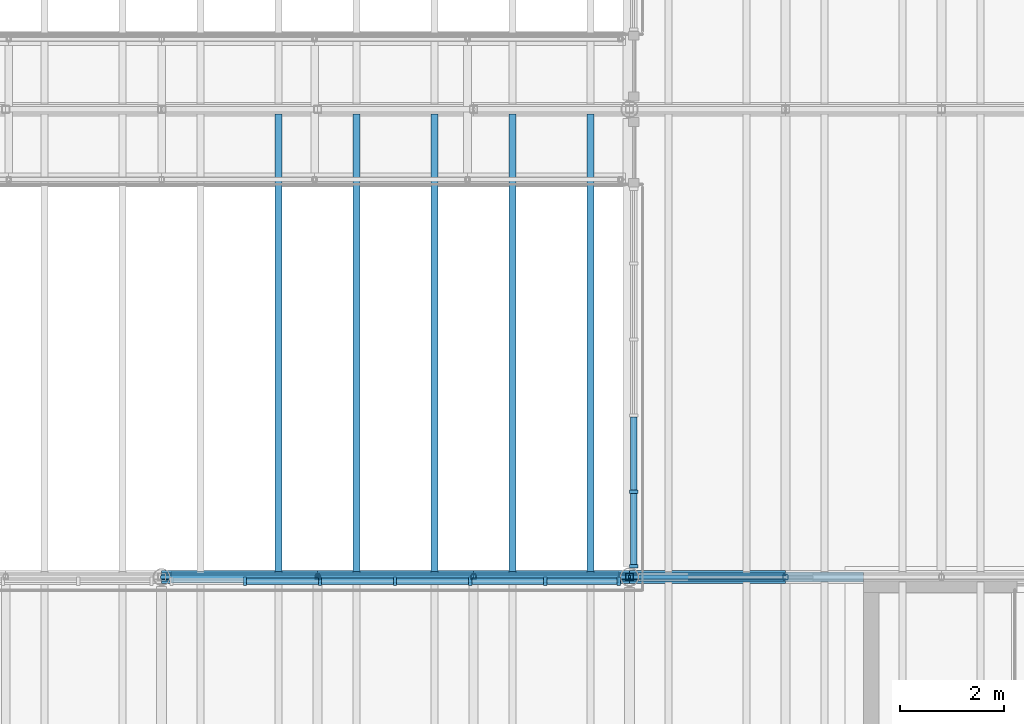
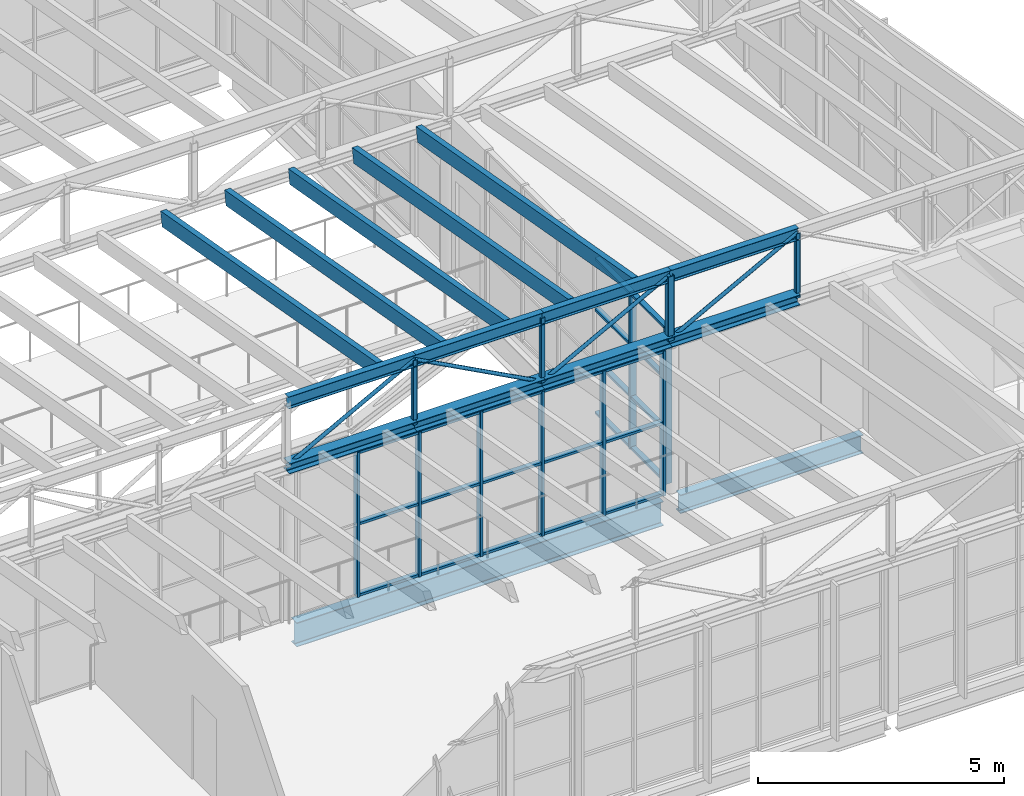
# One storey, part 19 of 44: 52 members, 2 beams, 2 elements without a shape of their own.
"""IFC4 building model written with IfcOpenShell, lengths in metres."""

from ifc_helpers import new_model, si_unit, direction, frame, origin, origin_2d, place, context, subcontext, project, spatial, rectangle, hollow_rectangle, hollow_circle, i_section, extrude, material, layer, layer_set, material_profile, profile_set, type_object, element, aggregate, save


model = new_model("IFC4")

# Units and contexts
model_context = context("Model", 3, precision=1e-05, world=origin(), true_north=direction((0.0, 1.0)))
body_context = subcontext(model_context, "Body", "Model", "MODEL_VIEW")
ifc_project = project(units=[si_unit("LENGTHUNIT", "METRE"), si_unit("AREAUNIT", "SQUARE_METRE"), si_unit("VOLUMEUNIT", "CUBIC_METRE"), si_unit("PLANEANGLEUNIT", "RADIAN"), si_unit("MASSUNIT", "GRAM", prefix="KILO")], contexts=[model_context])

# Site, building, storey
site_placement = place(None, origin())
site = spatial("IfcSite", under=ifc_project, at=site_placement, CompositionType="ELEMENT")
building_placement = place(site_placement, origin())
building = spatial("IfcBuilding", under=site, at=building_placement, Name="Halyard Row Museum", CompositionType="ELEMENT")
storey_placement = place(building_placement, frame((0.0, 0.0, 21.199951171875)))
storey = spatial("IfcBuildingStorey", under=building, at=storey_placement, Name="L04", CompositionType="ELEMENT", Elevation=21.199951171875)

# Curtain wall, members
ifc_material_1 = material(Name="Fire-resisting laminated glazing", Category="glass")
ifc_layer = layer(ifc_material_1, 0.159912109375)
ifc_layer_set = layer_set([ifc_layer], Name="Fire-resisting laminated glazing")
curtain_wall_type = type_object("IfcCurtainWallType", Name="Curtain wall atrium screen 160 deep", PredefinedType="NOTDEFINED", material=ifc_layer_set)
curtain_wall_1_placement = place(storey_placement, origin())
curtain_wall_1 = element("IfcCurtainWall", 1, at=curtain_wall_1_placement, inside=storey, type_object=curtain_wall_type, Name="Curtain wall CW103", PredefinedType="NOTDEFINED")
ifc_material_2 = material(Name="Powder-coated aluminium section", Category="aluminium")
ifc_material_profile_1 = material_profile(ifc_material_2, rectangle(XDim=0.159912109375, YDim=0.06005859375, at=origin_2d()), Name="160x60 mullion")
ifc_profile_set_1 = profile_set([ifc_material_profile_1], Name="Powder-coated aluminium section")
member_type_1 = type_object("IfcMemberType", Name="Curtain wall mullion CM5 60 x 160", PredefinedType="MULLION", material=ifc_profile_set_1)
member_1_placement = place(storey_placement, frame((91.605224609375, 8.919921875, 0.0), z_axis=(0.0, 0.0, 1.0), x_axis=(0.0, 1.0, 0.0)))
member_1 = element("IfcMember", 2, at=member_1_placement, type_object=member_type_1, Name="CW103 mullion 2", PredefinedType="MULLION", context=body_context, shape_type="SweptSolid", body=[
    extrude(rectangle(XDim=0.159912109375, YDim=0.06005859375, at=origin_2d()), origin(), (0.0, 0.0, 1.0), 3.60009765625),
])
member_2_placement = place(storey_placement, frame((93.048583984375, 8.919921875, 0.0), z_axis=(0.0, 0.0, 1.0), x_axis=(0.0, 1.0, 0.0)))
member_2 = element("IfcMember", 3, at=member_2_placement, type_object=member_type_1, Name="CW103 mullion 3", PredefinedType="MULLION", context=body_context, shape_type="SweptSolid", body=[
    extrude(rectangle(XDim=0.159912109375, YDim=0.06005859375, at=origin_2d()), origin(), (0.0, 0.0, 1.0), 3.60009765625),
])
member_3_placement = place(storey_placement, frame((94.4921875, 8.919921875, 0.0), z_axis=(0.0, 0.0, 1.0), x_axis=(0.0, 1.0, 0.0)))
member_3 = element("IfcMember", 4, at=member_3_placement, type_object=member_type_1, Name="CW103 mullion 4", PredefinedType="MULLION", context=body_context, shape_type="SweptSolid", body=[
    extrude(rectangle(XDim=0.159912109375, YDim=0.06005859375, at=origin_2d()), origin(), (0.0, 0.0, 1.0), 3.60009765625),
])
member_4_placement = place(storey_placement, frame((95.935546875, 8.919921875, 0.0), z_axis=(0.0, 0.0, 1.0), x_axis=(0.0, 1.0, 0.0)))
member_4 = element("IfcMember", 5, at=member_4_placement, type_object=member_type_1, Name="CW103 mullion 5", PredefinedType="MULLION", context=body_context, shape_type="SweptSolid", body=[
    extrude(rectangle(XDim=0.159912109375, YDim=0.06005859375, at=origin_2d()), origin(), (0.0, 0.0, 1.0), 3.60009765625),
])
member_5_placement = place(storey_placement, frame((97.37890625, 8.919921875, 0.0), z_axis=(0.0, 0.0, 1.0), x_axis=(0.0, 1.0, 0.0)))
member_5 = element("IfcMember", 6, at=member_5_placement, type_object=member_type_1, Name="CW103 mullion 6", PredefinedType="MULLION", context=body_context, shape_type="SweptSolid", body=[
    extrude(rectangle(XDim=0.159912109375, YDim=0.06005859375, at=origin_2d()), origin(), (0.0, 0.0, 1.0), 3.60009765625),
])
member_6_placement = place(storey_placement, frame((98.792236328125, 8.919921875, 0.0), z_axis=(0.0, 0.0, 1.0), x_axis=(0.0, 1.0, 0.0)))
member_6 = element("IfcMember", 7, at=member_6_placement, type_object=member_type_1, Name="CW103 mullion 7", PredefinedType="MULLION", context=body_context, shape_type="SweptSolid", body=[
    extrude(rectangle(XDim=0.159912109375, YDim=0.06005859375, at=origin_2d()), origin(), (0.0, 0.0, 1.0), 3.60009765625),
])

curtain_wall_2_placement = place(storey_placement, origin())
curtain_wall_2 = element("IfcCurtainWall", 8, at=curtain_wall_2_placement, inside=storey, type_object=curtain_wall_type, Name="Curtain wall CW104", PredefinedType="NOTDEFINED")
member_7_placement = place(storey_placement, frame((99.080078125, 9.207763671875, 0.0), z_axis=(0.0, 0.0, 1.0), x_axis=(-1.0, 0.0, 0.0)))
member_7 = element("IfcMember", 9, at=member_7_placement, type_object=member_type_1, Name="CW104 mullion 1", PredefinedType="MULLION", context=body_context, shape_type="SweptSolid", body=[
    extrude(rectangle(XDim=0.159912109375, YDim=0.06005859375, at=origin_2d()), origin(), (0.0, 0.0, 1.0), 3.878173828125),
])
member_8_placement = place(storey_placement, frame((99.080078125, 10.642333984375, 0.0), z_axis=(0.0, 0.0, 1.0), x_axis=(-1.0, 0.0, 0.0)))
member_8 = element("IfcMember", 10, at=member_8_placement, type_object=member_type_1, Name="CW104 mullion 2", PredefinedType="MULLION", context=body_context, shape_type="SweptSolid", body=[
    extrude(rectangle(XDim=0.159912109375, YDim=0.06005859375, at=origin_2d()), origin(), (0.0, 0.0, 1.0), 3.878173828125),
])

# Member
ifc_material_3 = material(Name="Powder-coated aluminium section", Category="aluminium")
ifc_material_profile_2 = material_profile(ifc_material_3, rectangle(XDim=0.1201171875, YDim=0.06005859375, at=origin_2d()), Name="120x60 transom")
ifc_profile_set_2 = profile_set([ifc_material_profile_2], Name="Powder-coated aluminium section")
member_type_2 = type_object("IfcMemberType", Name="Curtain wall transom CT5 60 x 120", PredefinedType="USERDEFINED", material=ifc_profile_set_2)
member_9_placement = place(storey_placement, frame((91.63525390625, 8.919921875, 0.030029296875), z_axis=(1.0, 0.0, 0.0), x_axis=(0.0, 1.0, 0.0)))
member_9 = element("IfcMember", 11, at=member_9_placement, type_object=member_type_2, Name="CW103 transom 2.1", ObjectType="TRANSOM", PredefinedType="USERDEFINED", context=body_context, shape_type="SweptSolid", body=[
    extrude(rectangle(XDim=0.1201171875, YDim=0.06005859375, at=origin_2d()), origin(), (0.0, 0.0, 1.0), 1.383544921875),
])

member_10_placement = place(storey_placement, frame((91.63525390625, 8.919921875, 1.800048828125), z_axis=(1.0, 0.0, 0.0), x_axis=(0.0, 1.0, 0.0)))
member_10 = element("IfcMember", 12, at=member_10_placement, type_object=member_type_2, Name="CW103 transom 2.2", ObjectType="TRANSOM", PredefinedType="USERDEFINED", context=body_context, shape_type="SweptSolid", body=[
    extrude(rectangle(XDim=0.1201171875, YDim=0.06005859375, at=origin_2d()), origin(), (0.0, 0.0, 1.0), 1.383544921875),
])

member_11_placement = place(storey_placement, frame((91.63525390625, 8.919921875, 3.570068359375), z_axis=(1.0, 0.0, 0.0), x_axis=(0.0, 1.0, 0.0)))
member_11 = element("IfcMember", 13, at=member_11_placement, type_object=member_type_2, Name="CW103 transom 2.3", ObjectType="TRANSOM", PredefinedType="USERDEFINED", context=body_context, shape_type="SweptSolid", body=[
    extrude(rectangle(XDim=0.1201171875, YDim=0.06005859375, at=origin_2d()), origin(), (0.0, 0.0, 1.0), 1.383544921875),
])

member_12_placement = place(storey_placement, frame((93.07861328125, 8.919921875, 0.030029296875), z_axis=(1.0, 0.0, 0.0), x_axis=(0.0, 1.0, 0.0)))
member_12 = element("IfcMember", 14, at=member_12_placement, type_object=member_type_2, Name="CW103 transom 3.1", ObjectType="TRANSOM", PredefinedType="USERDEFINED", context=body_context, shape_type="SweptSolid", body=[
    extrude(rectangle(XDim=0.1201171875, YDim=0.06005859375, at=origin_2d()), origin(), (0.0, 0.0, 1.0), 1.383544921875),
])

member_13_placement = place(storey_placement, frame((93.07861328125, 8.919921875, 1.800048828125), z_axis=(1.0, 0.0, 0.0), x_axis=(0.0, 1.0, 0.0)))
member_13 = element("IfcMember", 15, at=member_13_placement, type_object=member_type_2, Name="CW103 transom 3.2", ObjectType="TRANSOM", PredefinedType="USERDEFINED", context=body_context, shape_type="SweptSolid", body=[
    extrude(rectangle(XDim=0.1201171875, YDim=0.06005859375, at=origin_2d()), origin(), (0.0, 0.0, 1.0), 1.383544921875),
])

member_14_placement = place(storey_placement, frame((93.07861328125, 8.919921875, 3.570068359375), z_axis=(1.0, 0.0, 0.0), x_axis=(0.0, 1.0, 0.0)))
member_14 = element("IfcMember", 16, at=member_14_placement, type_object=member_type_2, Name="CW103 transom 3.3", ObjectType="TRANSOM", PredefinedType="USERDEFINED", context=body_context, shape_type="SweptSolid", body=[
    extrude(rectangle(XDim=0.1201171875, YDim=0.06005859375, at=origin_2d()), origin(), (0.0, 0.0, 1.0), 1.383544921875),
])

member_15_placement = place(storey_placement, frame((94.52197265625, 8.919921875, 0.030029296875), z_axis=(1.0, 0.0, 0.0), x_axis=(0.0, 1.0, 0.0)))
member_15 = element("IfcMember", 17, at=member_15_placement, type_object=member_type_2, Name="CW103 transom 4.1", ObjectType="TRANSOM", PredefinedType="USERDEFINED", context=body_context, shape_type="SweptSolid", body=[
    extrude(rectangle(XDim=0.1201171875, YDim=0.06005859375, at=origin_2d()), origin(), (0.0, 0.0, 1.0), 1.383544921875),
])

member_16_placement = place(storey_placement, frame((94.52197265625, 8.919921875, 1.800048828125), z_axis=(1.0, 0.0, 0.0), x_axis=(0.0, 1.0, 0.0)))
member_16 = element("IfcMember", 18, at=member_16_placement, type_object=member_type_2, Name="CW103 transom 4.2", ObjectType="TRANSOM", PredefinedType="USERDEFINED", context=body_context, shape_type="SweptSolid", body=[
    extrude(rectangle(XDim=0.1201171875, YDim=0.06005859375, at=origin_2d()), origin(), (0.0, 0.0, 1.0), 1.383544921875),
])

member_17_placement = place(storey_placement, frame((94.52197265625, 8.919921875, 3.570068359375), z_axis=(1.0, 0.0, 0.0), x_axis=(0.0, 1.0, 0.0)))
member_17 = element("IfcMember", 19, at=member_17_placement, type_object=member_type_2, Name="CW103 transom 4.3", ObjectType="TRANSOM", PredefinedType="USERDEFINED", context=body_context, shape_type="SweptSolid", body=[
    extrude(rectangle(XDim=0.1201171875, YDim=0.06005859375, at=origin_2d()), origin(), (0.0, 0.0, 1.0), 1.383544921875),
])

member_18_placement = place(storey_placement, frame((95.96533203125, 8.919921875, 0.030029296875), z_axis=(1.0, 0.0, 0.0), x_axis=(0.0, 1.0, 0.0)))
member_18 = element("IfcMember", 20, at=member_18_placement, type_object=member_type_2, Name="CW103 transom 5.1", ObjectType="TRANSOM", PredefinedType="USERDEFINED", context=body_context, shape_type="SweptSolid", body=[
    extrude(rectangle(XDim=0.1201171875, YDim=0.06005859375, at=origin_2d()), origin(), (0.0, 0.0, 1.0), 1.383544921875),
])

member_19_placement = place(storey_placement, frame((95.96533203125, 8.919921875, 1.800048828125), z_axis=(1.0, 0.0, 0.0), x_axis=(0.0, 1.0, 0.0)))
member_19 = element("IfcMember", 21, at=member_19_placement, type_object=member_type_2, Name="CW103 transom 5.2", ObjectType="TRANSOM", PredefinedType="USERDEFINED", context=body_context, shape_type="SweptSolid", body=[
    extrude(rectangle(XDim=0.1201171875, YDim=0.06005859375, at=origin_2d()), origin(), (0.0, 0.0, 1.0), 1.383544921875),
])

member_20_placement = place(storey_placement, frame((95.96533203125, 8.919921875, 3.570068359375), z_axis=(1.0, 0.0, 0.0), x_axis=(0.0, 1.0, 0.0)))
member_20 = element("IfcMember", 22, at=member_20_placement, type_object=member_type_2, Name="CW103 transom 5.3", ObjectType="TRANSOM", PredefinedType="USERDEFINED", context=body_context, shape_type="SweptSolid", body=[
    extrude(rectangle(XDim=0.1201171875, YDim=0.06005859375, at=origin_2d()), origin(), (0.0, 0.0, 1.0), 1.383544921875),
])

member_21_placement = place(storey_placement, frame((97.408935546875, 8.919921875, 0.030029296875), z_axis=(1.0, 0.0, 0.0), x_axis=(0.0, 1.0, 0.0)))
member_21 = element("IfcMember", 23, at=member_21_placement, type_object=member_type_2, Name="CW103 transom 6.1", ObjectType="TRANSOM", PredefinedType="USERDEFINED", context=body_context, shape_type="SweptSolid", body=[
    extrude(rectangle(XDim=0.1201171875, YDim=0.06005859375, at=origin_2d()), origin(), (0.0, 0.0, 1.0), 1.353271484375),
])

member_22_placement = place(storey_placement, frame((97.408935546875, 8.919921875, 1.800048828125), z_axis=(1.0, 0.0, 0.0), x_axis=(0.0, 1.0, 0.0)))
member_22 = element("IfcMember", 24, at=member_22_placement, type_object=member_type_2, Name="CW103 transom 6.2", ObjectType="TRANSOM", PredefinedType="USERDEFINED", context=body_context, shape_type="SweptSolid", body=[
    extrude(rectangle(XDim=0.1201171875, YDim=0.06005859375, at=origin_2d()), origin(), (0.0, 0.0, 1.0), 1.353271484375),
])

member_23_placement = place(storey_placement, frame((97.408935546875, 8.919921875, 3.570068359375), z_axis=(1.0, 0.0, 0.0), x_axis=(0.0, 1.0, 0.0)))
member_23 = element("IfcMember", 25, at=member_23_placement, type_object=member_type_2, Name="CW103 transom 6.3", ObjectType="TRANSOM", PredefinedType="USERDEFINED", context=body_context, shape_type="SweptSolid", body=[
    extrude(rectangle(XDim=0.1201171875, YDim=0.06005859375, at=origin_2d()), origin(), (0.0, 0.0, 1.0), 1.353271484375),
])

aggregate(curtain_wall_1, [member_1, member_2, member_3, member_4, member_5, member_6, member_9, member_10, member_11, member_12, member_13, member_14, member_15, member_16, member_17, member_18, member_19, member_20, member_21, member_22, member_23])

member_24_placement = place(storey_placement, frame((99.080078125, 9.23779296875, 0.030029296875), z_axis=(0.0, 1.0, 0.0), x_axis=(-1.0, 0.0, 0.0)))
member_24 = element("IfcMember", 26, at=member_24_placement, type_object=member_type_2, Name="CW104 transom 1.1", ObjectType="TRANSOM", PredefinedType="USERDEFINED", context=body_context, shape_type="SweptSolid", body=[
    extrude(rectangle(XDim=0.1201171875, YDim=0.06005859375, at=origin_2d()), origin(), (0.0, 0.0, 1.0), 1.37451171875),
])

member_25_placement = place(storey_placement, frame((99.080078125, 9.23779296875, 1.292724609375), z_axis=(0.0, 1.0, 0.0), x_axis=(-1.0, 0.0, 0.0)))
member_25 = element("IfcMember", 27, at=member_25_placement, type_object=member_type_2, Name="CW104 transom 1.2", ObjectType="TRANSOM", PredefinedType="USERDEFINED", context=body_context, shape_type="SweptSolid", body=[
    extrude(rectangle(XDim=0.1201171875, YDim=0.06005859375, at=origin_2d()), origin(), (0.0, 0.0, 1.0), 1.37451171875),
])

member_26_placement = place(storey_placement, frame((99.080078125, 9.23779296875, 2.58544921875), z_axis=(0.0, 1.0, 0.0), x_axis=(-1.0, 0.0, 0.0)))
member_26 = element("IfcMember", 28, at=member_26_placement, type_object=member_type_2, Name="CW104 transom 1.3", ObjectType="TRANSOM", PredefinedType="USERDEFINED", context=body_context, shape_type="SweptSolid", body=[
    extrude(rectangle(XDim=0.1201171875, YDim=0.06005859375, at=origin_2d()), origin(), (0.0, 0.0, 1.0), 1.37451171875),
])

member_27_placement = place(storey_placement, frame((99.080078125, 9.23779296875, 3.84814453125), z_axis=(0.0, 1.0, 0.0), x_axis=(-1.0, 0.0, 0.0)))
member_27 = element("IfcMember", 29, at=member_27_placement, type_object=member_type_2, Name="CW104 transom 1.4", ObjectType="TRANSOM", PredefinedType="USERDEFINED", context=body_context, shape_type="SweptSolid", body=[
    extrude(rectangle(XDim=0.1201171875, YDim=0.06005859375, at=origin_2d()), origin(), (0.0, 0.0, 1.0), 1.37451171875),
])

member_28_placement = place(storey_placement, frame((99.080078125, 10.672119140625, 0.030029296875), z_axis=(0.0, 1.0, 0.0), x_axis=(-1.0, 0.0, 0.0)))
member_28 = element("IfcMember", 30, at=member_28_placement, type_object=member_type_2, Name="CW104 transom 2.1", ObjectType="TRANSOM", PredefinedType="USERDEFINED", context=body_context, shape_type="SweptSolid", body=[
    extrude(rectangle(XDim=0.1201171875, YDim=0.06005859375, at=origin_2d()), origin(), (0.0, 0.0, 1.0), 1.404541015625),
])

member_29_placement = place(storey_placement, frame((99.080078125, 10.672119140625, 1.292724609375), z_axis=(0.0, 1.0, 0.0), x_axis=(-1.0, 0.0, 0.0)))
member_29 = element("IfcMember", 31, at=member_29_placement, type_object=member_type_2, Name="CW104 transom 2.2", ObjectType="TRANSOM", PredefinedType="USERDEFINED", context=body_context, shape_type="SweptSolid", body=[
    extrude(rectangle(XDim=0.1201171875, YDim=0.06005859375, at=origin_2d()), origin(), (0.0, 0.0, 1.0), 1.404541015625),
])

member_30_placement = place(storey_placement, frame((99.080078125, 10.672119140625, 2.58544921875), z_axis=(0.0, 1.0, 0.0), x_axis=(-1.0, 0.0, 0.0)))
member_30 = element("IfcMember", 32, at=member_30_placement, type_object=member_type_2, Name="CW104 transom 2.3", ObjectType="TRANSOM", PredefinedType="USERDEFINED", context=body_context, shape_type="SweptSolid", body=[
    extrude(rectangle(XDim=0.1201171875, YDim=0.06005859375, at=origin_2d()), origin(), (0.0, 0.0, 1.0), 1.404541015625),
])

member_31_placement = place(storey_placement, frame((99.080078125, 10.672119140625, 3.84814453125), z_axis=(0.0, 1.0, 0.0), x_axis=(-1.0, 0.0, 0.0)))
member_31 = element("IfcMember", 33, at=member_31_placement, type_object=member_type_2, Name="CW104 transom 2.4", ObjectType="TRANSOM", PredefinedType="USERDEFINED", context=body_context, shape_type="SweptSolid", body=[
    extrude(rectangle(XDim=0.1201171875, YDim=0.06005859375, at=origin_2d()), origin(), (0.0, 0.0, 1.0), 1.404541015625),
])

aggregate(curtain_wall_2, [member_7, member_8, member_24, member_25, member_26, member_27, member_28, member_29, member_30, member_31])

# Beam
ifc_material_4 = material(Name="Steel Grade 300", Category="steel")
ifc_material_profile_3 = material_profile(ifc_material_4, i_section(OverallWidth=0.19091796875, OverallDepth=0.46044921875, WebThickness=0.010009765625, FlangeThickness=0.01611328125, FilletRadius=0.011474609375, at=origin_2d()), Name="460UB82.1")
ifc_profile_set_3 = profile_set([ifc_material_profile_3], Name="Steel Grade 300")
beam_type_1 = type_object("IfcBeamType", Name="Girder beam 460UB82.1", PredefinedType="BEAM", material=ifc_profile_set_3)
beam_1_placement = place(storey_placement, frame((99.203125, 9.0, -0.395263671875), z_axis=(1.0, 0.0, 0.0), x_axis=(0.0, 1.0, 0.0)))
element("IfcBeam", 34, at=beam_1_placement, inside=storey, type_object=beam_type_1, Name="Beam L04-008", PredefinedType="BEAM", context=body_context, shape_type="SweptSolid", body=[
    extrude(i_section(OverallWidth=0.19091796875, OverallDepth=0.46044921875, WebThickness=0.010009765625, FlangeThickness=0.01611328125, FilletRadius=0.011474609375, at=origin_2d()), origin(), (0.0, 0.0, 1.0), 4.296875),
])

# Members
ifc_material_5 = material(Name="Glulam GL12 radiata pine", Category="wood")
ifc_material_profile_4 = material_profile(ifc_material_5, rectangle(XDim=0.135009765625, YDim=0.360107421875, at=origin_2d()), Name="GL12 135x360")
ifc_profile_set_4 = profile_set([ifc_material_profile_4], Name="Glulam GL12 radiata pine")
member_type_3 = type_object("IfcMemberType", Name="Rafter GL12 135x360", PredefinedType="RAFTER", material=ifc_profile_set_4)
for number, where, z_axis, x_axis, name in (
    (35, (92.25, 9.074462890625, 5.283935546875), (0.0, 0.984563554103, -0.17502744908), (-1.0, 0.0, 0.0), "Rafter V2-T2b.8"),
    (36, (93.75, 9.074462890625, 5.283935546875), (0.0, 0.984563554103, -0.17502744908), (-1.0, 0.0, 0.0), "Rafter V2-T2b.9"),
    (37, (95.25, 9.074462890625, 5.283935546875), (0.0, 0.984563554103, -0.17502744908), (-1.0, 0.0, 0.0), "Rafter V2-T2b.10"),
    (38, (96.75, 9.074462890625, 5.283935546875), (0.0, 0.984563554103, -0.17502744908), (-1.0, 0.0, 0.0), "Rafter V2-T2b.11"),
    (39, (98.25, 9.074462890625, 5.283935546875), (0.0, 0.984563554103, -0.17502744908), (-1.0, 0.0, 0.0), "Rafter V2-T2b.12"),
):
    element("IfcMember", number, at=place(storey_placement, frame(where, z_axis=z_axis, x_axis=x_axis)), inside=storey, type_object=member_type_3, Name=name, PredefinedType="RAFTER", context=body_context, shape_type="SweptSolid", body=[
        extrude(rectangle(XDim=0.135009765625, YDim=0.360107421875, at=origin_2d()), origin(), (0.0, 0.0, 1.0), 8.935546875),
    ])
ifc_material_6 = material(Name="Steel Grade 300", Category="steel")
ifc_material_profile_5 = material_profile(ifc_material_6, i_section(OverallWidth=0.25390625, OverallDepth=0.25390625, WebThickness=0.008544921875, FlangeThickness=0.01416015625, FilletRadius=0.013916015625, at=origin_2d()), Name="250UC72.9")
ifc_profile_set_5 = profile_set([ifc_material_profile_5], Name="Steel Grade 300")
member_type_4 = type_object("IfcMemberType", Name="Valley truss bottom chord 250UC72.9", PredefinedType="CHORD", material=ifc_profile_set_5)
for number, where, z_axis, x_axis, name in (
    (40, (90.0, 9.0, 3.72705078125), (1.0, 0.0, 0.0), (0.0, 1.0, 0.0), "V2-VT2 bottom chord 3.1"),
    (41, (93.0, 9.0, 3.72705078125), (1.0, 0.0, 0.0), (0.0, 1.0, 0.0), "V2-VT2 bottom chord 3.2"),
    (42, (96.0, 9.0, 3.72705078125), (1.0, 0.0, 0.0), (0.0, 1.0, 0.0), "V2-VT2 bottom chord 3.3"),
    (43, (99.0, 9.0, 3.72705078125), (1.0, 0.0, 0.0), (0.0, 1.0, 0.0), "V2-VT2 bottom chord 4.1"),
):
    element("IfcMember", number, at=place(storey_placement, frame(where, z_axis=z_axis, x_axis=x_axis)), inside=storey, type_object=member_type_4, Name=name, PredefinedType="CHORD", context=body_context, shape_type="SweptSolid", body=[
        extrude(i_section(OverallWidth=0.25390625, OverallDepth=0.25390625, WebThickness=0.008544921875, FlangeThickness=0.01416015625, FilletRadius=0.013916015625, at=origin_2d()), origin(), (0.0, 0.0, 1.0), 3.0),
    ])
ifc_material_7 = material(Name="Steel Grade C250L0", Category="steel")
ifc_material_profile_6 = material_profile(ifc_material_7, hollow_circle(Radius=0.04443359375, WallThickness=0.0048828125, at=origin_2d()), Name="88.9x5.0CHS")
ifc_profile_set_6 = profile_set([ifc_material_profile_6], Name="Steel Grade C250L0")
member_type_5 = type_object("IfcMemberType", Name="Valley truss diagonal 88.9x5.0CHS", PredefinedType="BRACE", material=ifc_profile_set_6)
for number, where, z_axis, x_axis, name in (
    (44, (90.0, 9.0, 3.72705078125), (0.881863759518, 0.0, 0.471504305016), (0.0, 1.0, 0.0), "V2-VT2 diagonal 3.1"),
    (45, (93.0, 9.0, 5.3310546875), (0.881863759518, 0.0, -0.471504305016), (0.0, 1.0, 0.0), "V2-VT2 diagonal 3.2"),
    (46, (96.0, 9.0, 3.72705078125), (0.881863759518, 0.0, 0.471504305016), (0.0, 1.0, 0.0), "V2-VT2 diagonal 3.3"),
    (47, (99.0, 9.0, 3.72705078125), (0.881863759518, 0.0, 0.471504305016), (0.0, 1.0, 0.0), "V2-VT2 diagonal 4.1"),
):
    element("IfcMember", number, at=place(storey_placement, frame(where, z_axis=z_axis, x_axis=x_axis)), inside=storey, type_object=member_type_5, Name=name, PredefinedType="BRACE", context=body_context, shape_type="SweptSolid", body=[
        extrude(hollow_circle(Radius=0.04443359375, WallThickness=0.0048828125, at=origin_2d()), origin(), (0.0, 0.0, 1.0), 3.40185546875),
    ])
ifc_material_8 = material(Name="Steel Grade C350L0", Category="steel")
ifc_material_profile_7 = material_profile(ifc_material_8, hollow_rectangle(XDim=0.10009765625, YDim=0.10009765625, WallThickness=0.006103515625, InnerFilletRadius=0.009033203125, OuterFilletRadius=0.014892578125, at=origin_2d()), Name="100x100x6.0SHS")
ifc_profile_set_7 = profile_set([ifc_material_profile_7], Name="Steel Grade C350L0")
member_type_6 = type_object("IfcMemberType", Name="Valley truss post 100x100x6.0SHS", PredefinedType="POST", material=ifc_profile_set_7)
for number, where, z_axis, x_axis, name in (
    (48, (93.0, 9.0, 3.72705078125), (0.0, 0.0, 1.0), (1.0, 0.0, 0.0), "V2-VT2 post 3.1"),
    (49, (96.0, 9.0, 3.72705078125), (0.0, 0.0, 1.0), (1.0, 0.0, 0.0), "V2-VT2 post 3.2"),
    (50, (102.0, 9.0, 3.72705078125), (0.0, 0.0, 1.0), (1.0, 0.0, 0.0), "V2-VT2 post 4.1"),
):
    element("IfcMember", number, at=place(storey_placement, frame(where, z_axis=z_axis, x_axis=x_axis)), inside=storey, type_object=member_type_6, Name=name, PredefinedType="POST", context=body_context, shape_type="SweptSolid", body=[
        extrude(hollow_rectangle(XDim=0.10009765625, YDim=0.10009765625, WallThickness=0.006103515625, InnerFilletRadius=0.009033203125, OuterFilletRadius=0.014892578125, at=origin_2d()), origin(), (0.0, 0.0, 1.0), 1.60400390625),
    ])
ifc_material_9 = material(Name="Steel Grade C350L0", Category="steel")
ifc_material_profile_8 = material_profile(ifc_material_9, hollow_rectangle(XDim=0.14990234375, YDim=0.14990234375, WallThickness=0.006103515625, InnerFilletRadius=0.009033203125, OuterFilletRadius=0.014892578125, at=origin_2d()), Name="150x150x6.0SHS")
ifc_profile_set_8 = profile_set([ifc_material_profile_8], Name="Steel Grade C350L0")
member_type_7 = type_object("IfcMemberType", Name="Valley truss post 150x150x6.0SHS", PredefinedType="POST", material=ifc_profile_set_8)
member_32_placement = place(storey_placement, frame((99.0, 9.0, 3.72705078125), z_axis=(0.0, 0.0, 1.0), x_axis=(1.0, 0.0, 0.0)))
element("IfcMember", 51, at=member_32_placement, inside=storey, type_object=member_type_7, Name="V2-VT2 post 3.3", PredefinedType="POST", context=body_context, shape_type="SweptSolid", body=[
    extrude(hollow_rectangle(XDim=0.14990234375, YDim=0.14990234375, WallThickness=0.006103515625, InnerFilletRadius=0.009033203125, OuterFilletRadius=0.014892578125, at=origin_2d()), origin(), (0.0, 0.0, 1.0), 1.60400390625),
])
ifc_material_10 = material(Name="Steel Grade 300", Category="steel")
ifc_material_profile_9 = material_profile(ifc_material_10, i_section(OverallWidth=0.14892578125, OverallDepth=0.298095703125, WebThickness=0.005615234375, FlangeThickness=0.008056640625, FilletRadius=0.012939453125, at=origin_2d()), Name="310UB32.0")
ifc_profile_set_9 = profile_set([ifc_material_profile_9], Name="Steel Grade 300")
member_type_8 = type_object("IfcMemberType", Name="Valley truss top chord 310UB32.0", PredefinedType="CHORD", material=ifc_profile_set_9)
for number, where, z_axis, x_axis, name in (
    (52, (90.0, 9.0, 5.3310546875), (1.0, 0.0, 0.0), (0.0, 1.0, 0.0), "V2-VT2 top chord 3.1"),
    (53, (93.0, 9.0, 5.3310546875), (1.0, 0.0, 0.0), (0.0, 1.0, 0.0), "V2-VT2 top chord 3.2"),
    (54, (96.0, 9.0, 5.3310546875), (1.0, 0.0, 0.0), (0.0, 1.0, 0.0), "V2-VT2 top chord 3.3"),
    (55, (99.0, 9.0, 5.3310546875), (1.0, 0.0, 0.0), (0.0, 1.0, 0.0), "V2-VT2 top chord 4.1"),
):
    element("IfcMember", number, at=place(storey_placement, frame(where, z_axis=z_axis, x_axis=x_axis)), inside=storey, type_object=member_type_8, Name=name, PredefinedType="CHORD", context=body_context, shape_type="SweptSolid", body=[
        extrude(i_section(OverallWidth=0.14892578125, OverallDepth=0.298095703125, WebThickness=0.005615234375, FlangeThickness=0.008056640625, FilletRadius=0.012939453125, at=origin_2d()), origin(), (0.0, 0.0, 1.0), 3.0),
    ])

# Beam
ifc_material_11 = material(Name="Steel Grade 300", Category="steel")
ifc_material_profile_10 = material_profile(ifc_material_11, i_section(OverallWidth=0.22802734375, OverallDepth=0.60205078125, WebThickness=0.010498046875, FlangeThickness=0.014892578125, FilletRadius=0.013916015625, at=origin_2d()), Name="610UB101")
ifc_profile_set_10 = profile_set([ifc_material_profile_10], Name="Steel Grade 300")
beam_type_2 = type_object("IfcBeamType", Name="Void edge beam 610UB101", PredefinedType="BEAM", material=ifc_profile_set_10)
beam_2_placement = place(storey_placement, frame((90.177734375, 9.0, -0.466064453125), z_axis=(1.0, 0.0, 0.0), x_axis=(0.0, 1.0, 0.0)))
element("IfcBeam", 56, at=beam_2_placement, inside=storey, type_object=beam_type_2, Name="Beam L04-007", PredefinedType="BEAM", context=body_context, shape_type="SweptSolid", body=[
    extrude(i_section(OverallWidth=0.22802734375, OverallDepth=0.60205078125, WebThickness=0.010498046875, FlangeThickness=0.014892578125, FilletRadius=0.013916015625, at=origin_2d()), origin(), (0.0, 0.0, 1.0), 8.619140625),
])

save(model, "model.ifc")
